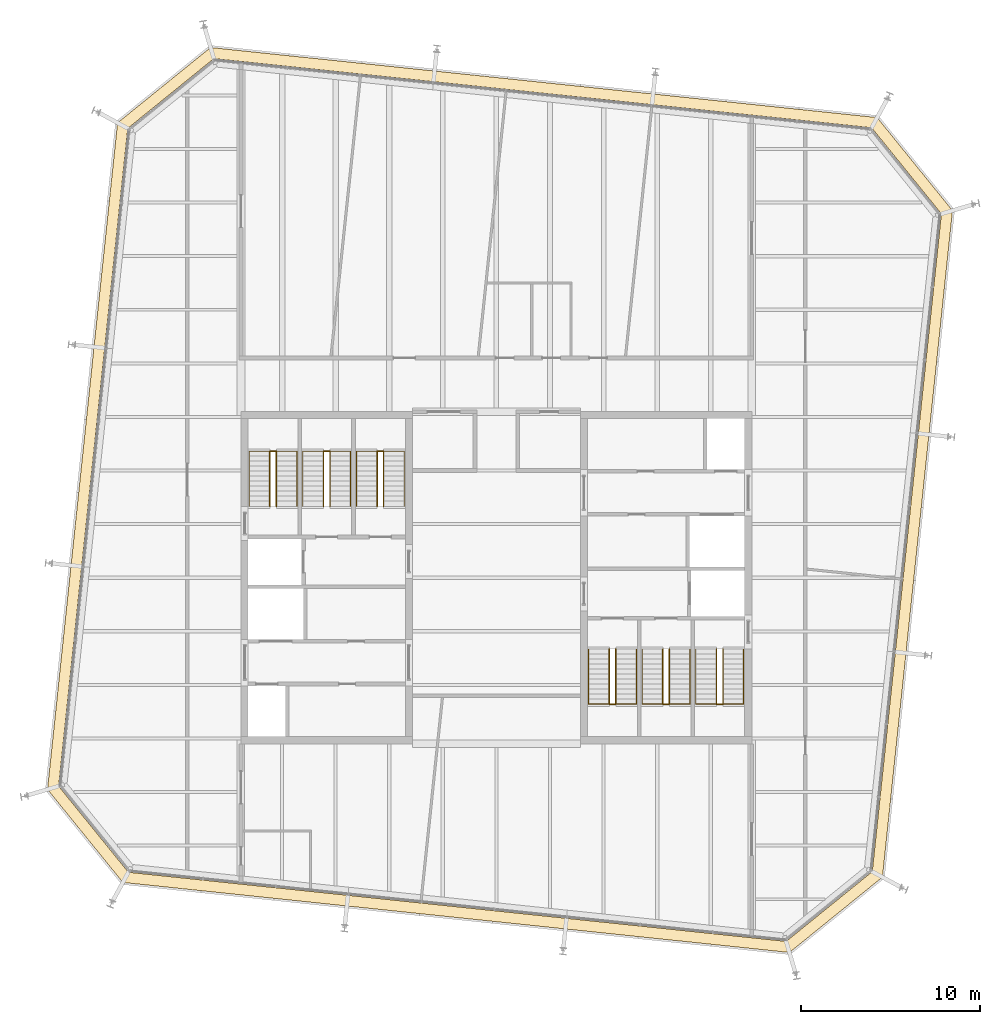
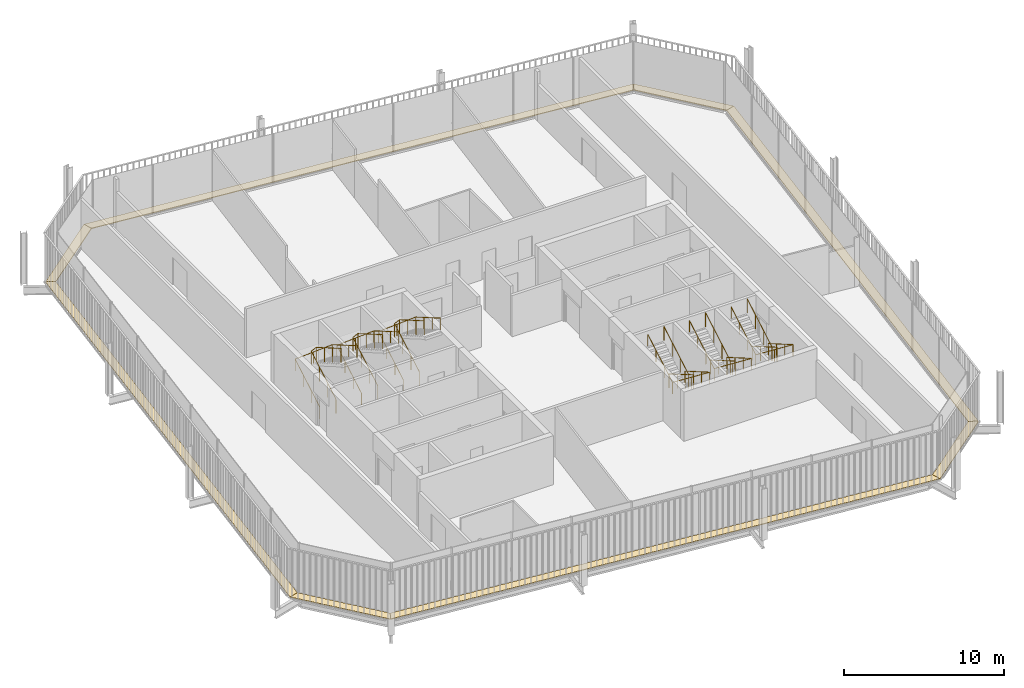
# One storey, part 20 of 20: 12 railings, 8 coverings.
"""IFC4 building model written with IfcOpenShell, lengths in metres."""

import ifcopenshell
import ifcopenshell.guid

model = None  # the IFC model being written
_history = None  # IfcOwnerHistory: only IFC2X3 demands one
_inside = {}  # id of a spatial element -> (the spatial element, [elements in it])
_under = {}  # id of a project, library or spatial element -> (it, [spatial elements below it])
_declared = {}  # id of a project -> (the project, [libraries it declares])
_typed = {}  # id of a type object -> (the type object, [elements of that type])
_made_of = {}  # id of a material, layer set ... -> (it, [elements and type objects made of it])


def new_model(schema):
    """Start an empty IFC model of exactly this schema.

    Asked for "IFC4X3", IfcOpenShell would pick the latest addendum, in which some entities
    have other attributes; the version numbers below select the first issue.
    IFC2X3 requires an IfcOwnerHistory on every rooted entity: one is made here for all.
    """
    global model, _history
    if schema == "IFC4X3":
        model = ifcopenshell.file(schema_version=(4, 3, 0, 0))
    else:
        model = ifcopenshell.file(schema=schema)
    _inside.clear()
    _under.clear()
    _declared.clear()
    _typed.clear()
    _made_of.clear()
    _history = None
    if model.schema == "IFC2X3":
        org = make("IfcOrganization", Name="unknown")
        user = make(
            "IfcPersonAndOrganization",
            ThePerson=make("IfcPerson", FamilyName="unknown"),
            TheOrganization=org,
        )
        app = make(
            "IfcApplication",
            ApplicationDeveloper=org,
            Version="unknown",
            ApplicationFullName="unknown",
            ApplicationIdentifier="unknown",
        )
        _history = make(
            "IfcOwnerHistory",
            OwningUser=user,
            OwningApplication=app,
            ChangeAction="ADDED",
            CreationDate=0,
        )
    return model


def make(cls, **values):
    """One entity of the class cls with the attributes given. An attribute that is None is left unset."""
    return model.create_entity(
        cls, **{name: value for name, value in values.items() if value is not None}
    )


def rooted(cls, **values):
    """An entity with a GlobalId (a new one), such as an element, a storey or a relation."""
    return make(cls, GlobalId=ifcopenshell.guid.new(), OwnerHistory=_history, **values)


def si_unit(unit_type, name, prefix=None):
    """IfcSIUnit, for example si_unit("LENGTHUNIT", "METRE", prefix="MILLI")."""
    return make("IfcSIUnit", UnitType=unit_type, Prefix=prefix, Name=name)


def assignment(units):
    """IfcUnitAssignment: the units of a project."""
    return None if units is None else make("IfcUnitAssignment", Units=units)


def point(xyz):
    """IfcCartesianPoint."""
    return None if xyz is None else make("IfcCartesianPoint", Coordinates=xyz)


def direction(xyz):
    """IfcDirection."""
    return None if xyz is None else make("IfcDirection", DirectionRatios=xyz)


def frame(location, z_axis=None, x_axis=None):
    """IfcAxis2Placement3D, a coordinate frame: its origin and axes. An axis left out is left unset."""
    return make(
        "IfcAxis2Placement3D",
        Location=point(location),
        Axis=direction(z_axis),
        RefDirection=direction(x_axis),
    )


def frame_2d(location, x_axis=None):
    """IfcAxis2Placement2D, a coordinate frame in the plane: its origin and x axis."""
    return make(
        "IfcAxis2Placement2D", Location=point(location), RefDirection=direction(x_axis)
    )


def origin():
    """The frame at (0, 0, 0) with its axes left unset."""
    return frame((0.0, 0.0, 0.0))


def origin_2d():
    """The frame at (0, 0) in the plane with its x axis left unset."""
    return frame_2d((0.0, 0.0))


def place(relative_to, where):
    """IfcLocalPlacement: puts the frame where relative to a parent placement (None: the world)."""
    return make(
        "IfcLocalPlacement", PlacementRelTo=relative_to, RelativePlacement=where
    )


def context(
    kind, dimensions, precision=None, world=None, true_north=None, identifier=None
):
    """IfcGeometricRepresentationContext, for example the 3D "Model" context."""
    return make(
        "IfcGeometricRepresentationContext",
        ContextIdentifier=identifier,
        ContextType=kind,
        CoordinateSpaceDimension=dimensions,
        Precision=precision,
        WorldCoordinateSystem=world,
        TrueNorth=true_north,
    )


def subcontext(parent, identifier, kind, view, scale=None):
    """IfcGeometricRepresentationSubContext, for example "Body" below "Model"."""
    return make(
        "IfcGeometricRepresentationSubContext",
        ContextIdentifier=identifier,
        ContextType=kind,
        ParentContext=parent,
        TargetScale=scale,
        TargetView=view,
    )


def project(units=None, contexts=None):
    """IfcProject with its units and contexts."""
    return rooted(
        "IfcProject",
        Name="project",
        RepresentationContexts=contexts,
        UnitsInContext=assignment(units),
    )


def spatial(cls, under=None, at=None, **own):
    """A site, building, storey or space (cls), placed at a placement, below another one or the project."""
    s = rooted(cls, ObjectPlacement=at, **own)
    if under is not None:
        _under.setdefault(under.id(), (under, []))[1].append(s)
    return s


def polyline(points):
    """IfcPolyline through the points."""
    return make("IfcPolyline", Points=[point(p) for p in points])


def profile(cls, at=None, kind="AREA", **sizes):
    """A parametric profile (cls). Its sizes go by their IFC names, for example OverallWidth=200.0."""
    return make(cls, ProfileType=kind, Position=at, **sizes)


def circle(**sizes):
    """IfcCircleProfileDef."""
    return profile("IfcCircleProfileDef", **sizes)


def outline(outer, holes=None, kind="AREA"):
    """IfcArbitraryClosedProfileDef: a profile drawn as a closed curve; with holes, ...WithVoids."""
    if holes is None:
        return make("IfcArbitraryClosedProfileDef", ProfileType=kind, OuterCurve=outer)
    return make(
        "IfcArbitraryProfileDefWithVoids",
        ProfileType=kind,
        OuterCurve=outer,
        InnerCurves=holes,
    )


def extrude(swept, where, along, depth):
    """IfcExtrudedAreaSolid: the profile swept, set in the frame where, extruded along a direction by depth."""
    return make(
        "IfcExtrudedAreaSolid",
        SweptArea=swept,
        Position=where,
        ExtrudedDirection=direction(along),
        Depth=depth,
    )


def shape(context_of_items, identifier, shape_type, items):
    """IfcShapeRepresentation: the items that make up one representation, for example the "Body"."""
    return make(
        "IfcShapeRepresentation",
        ContextOfItems=context_of_items,
        RepresentationIdentifier=identifier,
        RepresentationType=shape_type,
        Items=items,
    )


def material(Name=None, Category=None):
    """IfcMaterial."""
    return make("IfcMaterial", Name=Name, Category=Category)


def layer(
    of_material, thickness, ventilated=None, Name=None, Category=None, Priority=None
):
    """IfcMaterialLayer: one layer of a wall or slab, of a material (None: an air gap)."""
    return make(
        "IfcMaterialLayer",
        Material=of_material,
        LayerThickness=thickness,
        IsVentilated=ventilated,
        Name=Name,
        Category=Category,
        Priority=Priority,
    )


def layer_set(layers, Name=None):
    """IfcMaterialLayerSet."""
    return make("IfcMaterialLayerSet", MaterialLayers=layers, LayerSetName=Name)


def made_of(thing, what):
    """Note that an element or type object is made of a material, layer set ...; save() writes the relation."""
    if what is not None:
        _made_of.setdefault(what.id(), (what, []))[1].append(thing)
    return thing


def type_object(cls, material=None, **own):
    """A type object (cls), such as IfcWallType, which elements share."""
    return made_of(rooted(cls, **own), material)


def element(
    cls,
    number,
    at=None,
    inside=None,
    cuts=None,
    type_object=None,
    material=None,
    context=None,
    identifier="Body",
    shape_type=None,
    held_by="IfcProductDefinitionShape",
    body=None,
    shapes=None,
    **own,
):
    """One element of the class cls, such as IfcWall. Its Tag is "e" and its number.

    at: its placement. inside: the storey or other place that contains it. cuts: it is an
    opening in that element (IfcRelVoidsElement). A single representation is given by context,
    identifier, shape_type and body (its items); several are given by shapes. held_by: the class
    of the entity that holds the representations. save() writes the other relations.
    """
    e = rooted(cls, Tag="e%d" % number, ObjectPlacement=at, **own)
    if body is not None:
        shapes = [shape(context, identifier, shape_type, body)]
    if shapes is not None:
        e.Representation = make(held_by, Representations=shapes)
    if inside is not None:
        _inside.setdefault(inside.id(), (inside, []))[1].append(e)
    if cuts is not None:
        rooted(
            "IfcRelVoidsElement", RelatingBuildingElement=cuts, RelatedOpeningElement=e
        )
    if type_object is not None:
        _typed.setdefault(type_object.id(), (type_object, []))[1].append(e)
    return made_of(e, material)


def aggregate(whole, parts):
    """IfcRelAggregates: a whole, such as a stair, and the parts it consists of."""
    return rooted("IfcRelAggregates", RelatingObject=whole, RelatedObjects=parts)


def save(model, path):
    """Write the relations noted so far, then the file.

    IfcRelAggregates (storeys below a building ...), IfcRelContainedInSpatialStructure (elements
    in a storey), IfcRelDefinesByType, IfcRelAssociatesMaterial and IfcRelDeclares: one each for
    every whole, place, type object, material and project.
    """
    for whole, parts in _under.values():
        aggregate(whole, parts)
    for where, things in _inside.values():
        rooted(
            "IfcRelContainedInSpatialStructure",
            RelatedElements=things,
            RelatingStructure=where,
        )
    for kind, things in _typed.values():
        rooted("IfcRelDefinesByType", RelatedObjects=things, RelatingType=kind)
    for what, things in _made_of.values():
        rooted("IfcRelAssociatesMaterial", RelatedObjects=things, RelatingMaterial=what)
    for by, libraries in _declared.values():
        rooted("IfcRelDeclares", RelatingContext=by, RelatedDefinitions=libraries)
    model.write(path)


model = new_model("IFC4")

# Units and contexts
model_context = context("Model", 3, precision=1e-05, world=origin(), true_north=direction((0.0, 1.0)))
body_context = subcontext(model_context, "Body", "Model", "MODEL_VIEW")
ifc_project = project(units=[si_unit("LENGTHUNIT", "METRE"), si_unit("AREAUNIT", "SQUARE_METRE"), si_unit("VOLUMEUNIT", "CUBIC_METRE"), si_unit("PLANEANGLEUNIT", "RADIAN"), si_unit("MASSUNIT", "GRAM", prefix="KILO")], contexts=[model_context])

# Site, building, storey
site_placement = place(None, origin())
site = spatial("IfcSite", under=ifc_project, at=site_placement, CompositionType="ELEMENT")
building_placement = place(site_placement, origin())
building = spatial("IfcBuilding", under=site, at=building_placement, Name="Millrace Tower", CompositionType="ELEMENT")
storey_placement = place(building_placement, frame((0.0, 0.0, 279.89990234375)))
storey = spatial("IfcBuildingStorey", under=building, at=storey_placement, Name="L64", CompositionType="ELEMENT", Elevation=279.89990234375)

# Coverings
ifc_material_1 = material(Name="Steel ASTM A36", Category="steel")
ifc_layer = layer(ifc_material_1, 0.050048828125)
ifc_layer_set = layer_set([ifc_layer], Name="Steel ASTM A36")
covering_type = type_object("IfcCoveringType", Name="CAVITY CATWALK steel grating", PredefinedType="FLOORING", material=ifc_layer_set)
placement = place(storey_placement, frame((0.0, 0.0, 0.10009765625)))
element("IfcCovering", 1, at=placement, inside=storey, type_object=covering_type, Name="Cavity catwalk grating E-F01 L64 1", PredefinedType="FLOORING", context=body_context, shape_type="SweptSolid", body=[
    extrude(outline(polyline([(-25.13232421875, -11.8515625), (-20.914306640625, -17.060302734375), (-20.6044921875, -16.489501953125), (-24.509521484375, -11.6669921875), (-25.13232421875, -11.8515625)])), origin(), (0.0, 0.0, 1.0), 0.050048828125),
])
element("IfcCovering", 2, at=placement, inside=storey, type_object=covering_type, Name="Cavity catwalk grating E-F02 L64 1", PredefinedType="FLOORING", context=body_context, shape_type="SweptSolid", body=[
    extrude(outline(polyline([(-20.914306640625, -17.060302734375), (16.4013671875, -20.982177734375), (16.217041015625, -20.359619140625), (-20.6044921875, -16.489501953125), (-20.914306640625, -17.060302734375)])), origin(), (0.0, 0.0, 1.0), 0.050048828125),
])
element("IfcCovering", 3, at=placement, inside=storey, type_object=covering_type, Name="Cavity catwalk grating E-F03 L64 1", PredefinedType="FLOORING", context=body_context, shape_type="SweptSolid", body=[
    extrude(outline(polyline([(16.4013671875, -20.982177734375), (21.6103515625, -16.764404296875), (21.03955078125, -16.454345703125), (16.217041015625, -20.359619140625), (16.4013671875, -20.982177734375)])), origin(), (0.0, 0.0, 1.0), 0.050048828125),
])
element("IfcCovering", 4, at=placement, inside=storey, type_object=covering_type, Name="Cavity catwalk grating E-F04 L64 1", PredefinedType="FLOORING", context=body_context, shape_type="SweptSolid", body=[
    extrude(outline(polyline([(21.6103515625, -16.764404296875), (25.5322265625, 20.551513671875), (24.90966796875, 20.366943359375), (21.03955078125, -16.454345703125), (21.6103515625, -16.764404296875)])), origin(), (0.0, 0.0, 1.0), 0.050048828125),
])
element("IfcCovering", 5, at=placement, inside=storey, type_object=covering_type, Name="Cavity catwalk grating E-F05 L64 1", PredefinedType="FLOORING", context=body_context, shape_type="SweptSolid", body=[
    extrude(outline(polyline([(25.5322265625, 20.551513671875), (21.314208984375, 25.76025390625), (21.00439453125, 25.189453125), (24.90966796875, 20.366943359375), (25.5322265625, 20.551513671875)])), origin(), (0.0, 0.0, 1.0), 0.050048828125),
])
element("IfcCovering", 6, at=placement, inside=storey, type_object=covering_type, Name="Cavity catwalk grating E-F06 L64 1", PredefinedType="FLOORING", context=body_context, shape_type="SweptSolid", body=[
    extrude(outline(polyline([(21.314208984375, 25.76025390625), (-16.00146484375, 29.682373046875), (-15.817138671875, 29.0595703125), (21.00439453125, 25.189453125), (21.314208984375, 25.76025390625)])), origin(), (0.0, 0.0, 1.0), 0.050048828125),
])
element("IfcCovering", 7, at=placement, inside=storey, type_object=covering_type, Name="Cavity catwalk grating E-F07 L64 1", PredefinedType="FLOORING", context=body_context, shape_type="SweptSolid", body=[
    extrude(outline(polyline([(-16.00146484375, 29.682373046875), (-21.210205078125, 25.46435546875), (-20.639404296875, 25.154541015625), (-15.817138671875, 29.0595703125), (-16.00146484375, 29.682373046875)])), origin(), (0.0, 0.0, 1.0), 0.050048828125),
])
element("IfcCovering", 8, at=placement, inside=storey, type_object=covering_type, Name="Cavity catwalk grating E-F08 L64 1", PredefinedType="FLOORING", context=body_context, shape_type="SweptSolid", body=[
    extrude(outline(polyline([(-21.210205078125, 25.46435546875), (-25.13232421875, -11.8515625), (-24.509521484375, -11.6669921875), (-20.639404296875, 25.154541015625), (-21.210205078125, 25.46435546875)])), origin(), (0.0, 0.0, 1.0), 0.050048828125),
])

# Railings
ifc_material_2 = material(Name="Stainless steel ASTM A240 type 316", Category="steel")
railing_type_1 = type_object("IfcRailingType", Name="Stair guard 1100", PredefinedType="GUARDRAIL", material=ifc_material_2)
for number, where, name in (
    (9, (-12.679931640625, 4.0, 0.16259765625), "Stair guard 1 W L64"),
    (10, (-9.679931640625, 4.0, 0.16259765625), "Stair guard 2 W L64"),
    (11, (-6.679931640625, 4.0, 0.16259765625), "Stair guard 3 W L64"),
):
    element("IfcRailing", number, at=place(storey_placement, frame(where)), inside=storey, type_object=railing_type_1, Name=name, PredefinedType="GUARDRAIL", context=body_context, shape_type="SweptSolid", body=[
        extrude(circle(Radius=0.02392578125, at=origin_2d()), frame((0.0, 0.0, 1.076171875), z_axis=(0.0, 0.864890721111, 0.501960198159), x_axis=(-1.0, 0.0, 0.0)), (0.0, 0.0, 1.0), 3.561279296875),
        extrude(circle(Radius=0.02392578125, at=origin_2d()), frame((0.0, 3.080078125, 2.86376953125), z_axis=(0.91152767309, 0.0, 0.411238739895), x_axis=(0.0, 1.0, 0.0)), (0.0, 0.0, 1.0), 0.394775390625),
        extrude(circle(Radius=0.02392578125, at=origin_2d()), frame((0.35986328125, 3.080078125, 3.02587890625), z_axis=(0.0, -0.864890721111, 0.501960198159), x_axis=(1.0, 0.0, 0.0)), (0.0, 0.0, 1.0), 3.561279296875),
        extrude(circle(Radius=0.02099609375, at=origin_2d()), origin(), (0.0, 0.0, 1.0), 1.052001953125),
        extrude(circle(Radius=0.02099609375, at=origin_2d()), frame((0.0, 1.026611328125, 0.595947265625)), (0.0, 0.0, 1.0), 1.052001953125),
        extrude(circle(Radius=0.02099609375, at=origin_2d()), frame((0.0, 2.053466796875, 1.191650390625)), (0.0, 0.0, 1.0), 1.052001953125),
        extrude(circle(Radius=0.02099609375, at=origin_2d()), frame((0.0, 3.080078125, 1.78759765625)), (0.0, 0.0, 1.0), 1.052001953125),
        extrude(circle(Radius=0.02099609375, at=origin_2d()), frame((0.35986328125, 3.080078125, 1.949951171875)), (0.0, 0.0, 1.0), 1.052001953125),
        extrude(circle(Radius=0.02099609375, at=origin_2d()), frame((0.35986328125, 2.053466796875, 2.5458984375)), (0.0, 0.0, 1.0), 1.052001953125),
        extrude(circle(Radius=0.02099609375, at=origin_2d()), frame((0.35986328125, 1.026611328125, 3.1416015625)), (0.0, 0.0, 1.0), 1.052001953125),
        extrude(circle(Radius=0.02099609375, at=origin_2d()), frame((0.35986328125, 0.0, 3.737548828125)), (0.0, 0.0, 1.0), 1.052001953125),
    ])
for number, where, name in (
    (12, (12.679931640625, -4.0, 0.16259765625), "Stair guard 1 E L64"),
    (13, (9.679931640625, -4.0, 0.16259765625), "Stair guard 2 E L64"),
    (14, (6.679931640625, -4.0, 0.16259765625), "Stair guard 3 E L64"),
):
    element("IfcRailing", number, at=place(storey_placement, frame(where)), inside=storey, type_object=railing_type_1, Name=name, PredefinedType="GUARDRAIL", context=body_context, shape_type="SweptSolid", body=[
        extrude(circle(Radius=0.02392578125, at=origin_2d()), frame((0.0, 0.0, 1.076171875), z_axis=(0.0, -0.864890721111, 0.501960198159), x_axis=(1.0, 0.0, 0.0)), (0.0, 0.0, 1.0), 3.561279296875),
        extrude(circle(Radius=0.02392578125, at=origin_2d()), frame((0.0, -3.080078125, 2.86376953125), z_axis=(-0.91152767309, 0.0, 0.411238739895), x_axis=(0.0, -1.0, 0.0)), (0.0, 0.0, 1.0), 0.394775390625),
        extrude(circle(Radius=0.02392578125, at=origin_2d()), frame((-0.35986328125, -3.080078125, 3.02587890625), z_axis=(0.0, 0.864890721111, 0.501960198159), x_axis=(-1.0, 0.0, 0.0)), (0.0, 0.0, 1.0), 3.561279296875),
        extrude(circle(Radius=0.02099609375, at=origin_2d()), origin(), (0.0, 0.0, 1.0), 1.052001953125),
        extrude(circle(Radius=0.02099609375, at=origin_2d()), frame((0.0, -1.026611328125, 0.595947265625)), (0.0, 0.0, 1.0), 1.052001953125),
        extrude(circle(Radius=0.02099609375, at=origin_2d()), frame((0.0, -2.053466796875, 1.191650390625)), (0.0, 0.0, 1.0), 1.052001953125),
        extrude(circle(Radius=0.02099609375, at=origin_2d()), frame((0.0, -3.080078125, 1.78759765625)), (0.0, 0.0, 1.0), 1.052001953125),
        extrude(circle(Radius=0.02099609375, at=origin_2d()), frame((-0.35986328125, -3.080078125, 1.949951171875)), (0.0, 0.0, 1.0), 1.052001953125),
        extrude(circle(Radius=0.02099609375, at=origin_2d()), frame((-0.35986328125, -2.053466796875, 2.5458984375)), (0.0, 0.0, 1.0), 1.052001953125),
        extrude(circle(Radius=0.02099609375, at=origin_2d()), frame((-0.35986328125, -1.026611328125, 3.1416015625)), (0.0, 0.0, 1.0), 1.052001953125),
        extrude(circle(Radius=0.02099609375, at=origin_2d()), frame((-0.35986328125, 0.0, 3.737548828125)), (0.0, 0.0, 1.0), 1.052001953125),
    ])
ifc_material_3 = material(Name="Stainless steel ASTM A240 type 316", Category="steel")
railing_type_2 = type_object("IfcRailingType", Name="Stair handrail 900", PredefinedType="HANDRAIL", material=ifc_material_3)
railing_1_placement = place(storey_placement, frame((-13.840087890625, 4.0, 0.16259765625)))
element("IfcRailing", 15, at=railing_1_placement, inside=storey, type_object=railing_type_2, Name="Stair handrail 1 W L64", PredefinedType="HANDRAIL", context=body_context, shape_type="SweptSolid", body=[
    extrude(circle(Radius=0.02392578125, at=origin_2d()), frame((0.0, 0.0, 0.8759765625), z_axis=(0.0, 0.864890721111, 0.501960198159), x_axis=(-1.0, 0.0, 0.0)), (0.0, 0.0, 1.0), 3.561279296875),
    extrude(circle(Radius=0.02392578125, at=origin_2d()), frame((0.0, 3.080078125, 2.66357421875), z_axis=(0.998170326313, 0.0, 0.06046486309), x_axis=(0.0, 1.0, 0.0)), (0.0, 0.0, 1.0), 2.68505859375),
    extrude(circle(Radius=0.02392578125, at=origin_2d()), frame((2.68017578125, 3.080078125, 2.82568359375), z_axis=(0.0, -0.864890721111, 0.501960198159), x_axis=(1.0, 0.0, 0.0)), (0.0, 0.0, 1.0), 3.561279296875),
    extrude(circle(Radius=0.02099609375, at=origin_2d()), origin(), (0.0, 0.0, 1.0), 0.851806640625),
    extrude(circle(Radius=0.02099609375, at=origin_2d()), frame((0.0, 1.026611328125, 0.595947265625)), (0.0, 0.0, 1.0), 0.851806640625),
    extrude(circle(Radius=0.02099609375, at=origin_2d()), frame((0.0, 2.053466796875, 1.191650390625)), (0.0, 0.0, 1.0), 0.851806640625),
    extrude(circle(Radius=0.02099609375, at=origin_2d()), frame((0.0, 3.080078125, 1.78759765625)), (0.0, 0.0, 1.0), 0.851806640625),
    extrude(circle(Radius=0.02099609375, at=origin_2d()), frame((1.340087890625, 3.080078125, 1.86865234375)), (0.0, 0.0, 1.0), 0.851806640625),
    extrude(circle(Radius=0.02099609375, at=origin_2d()), frame((2.68017578125, 3.080078125, 1.949951171875)), (0.0, 0.0, 1.0), 0.851806640625),
    extrude(circle(Radius=0.02099609375, at=origin_2d()), frame((2.68017578125, 2.053466796875, 2.5458984375)), (0.0, 0.0, 1.0), 0.851806640625),
    extrude(circle(Radius=0.02099609375, at=origin_2d()), frame((2.68017578125, 1.026611328125, 3.1416015625)), (0.0, 0.0, 1.0), 0.851806640625),
    extrude(circle(Radius=0.02099609375, at=origin_2d()), frame((2.68017578125, 0.0, 3.737548828125)), (0.0, 0.0, 1.0), 0.851806640625),
])
railing_2_placement = place(storey_placement, frame((-10.840087890625, 4.0, 0.16259765625)))
element("IfcRailing", 16, at=railing_2_placement, inside=storey, type_object=railing_type_2, Name="Stair handrail 2 W L64", PredefinedType="HANDRAIL", context=body_context, shape_type="SweptSolid", body=[
    extrude(circle(Radius=0.02392578125, at=origin_2d()), frame((0.0, 0.0, 0.8759765625), z_axis=(0.0, 0.864890721111, 0.501960198159), x_axis=(-1.0, 0.0, 0.0)), (0.0, 0.0, 1.0), 3.561279296875),
    extrude(circle(Radius=0.02392578125, at=origin_2d()), frame((0.0, 3.080078125, 2.66357421875), z_axis=(0.998170326313, 0.0, 0.06046486309), x_axis=(0.0, 1.0, 0.0)), (0.0, 0.0, 1.0), 2.68505859375),
    extrude(circle(Radius=0.02392578125, at=origin_2d()), frame((2.68017578125, 3.080078125, 2.82568359375), z_axis=(0.0, -0.864890721111, 0.501960198159), x_axis=(1.0, 0.0, 0.0)), (0.0, 0.0, 1.0), 3.561279296875),
    extrude(circle(Radius=0.02099609375, at=origin_2d()), origin(), (0.0, 0.0, 1.0), 0.851806640625),
    extrude(circle(Radius=0.02099609375, at=origin_2d()), frame((0.0, 1.026611328125, 0.595947265625)), (0.0, 0.0, 1.0), 0.851806640625),
    extrude(circle(Radius=0.02099609375, at=origin_2d()), frame((0.0, 2.053466796875, 1.191650390625)), (0.0, 0.0, 1.0), 0.851806640625),
    extrude(circle(Radius=0.02099609375, at=origin_2d()), frame((0.0, 3.080078125, 1.78759765625)), (0.0, 0.0, 1.0), 0.851806640625),
    extrude(circle(Radius=0.02099609375, at=origin_2d()), frame((1.340087890625, 3.080078125, 1.86865234375)), (0.0, 0.0, 1.0), 0.851806640625),
    extrude(circle(Radius=0.02099609375, at=origin_2d()), frame((2.68017578125, 3.080078125, 1.949951171875)), (0.0, 0.0, 1.0), 0.851806640625),
    extrude(circle(Radius=0.02099609375, at=origin_2d()), frame((2.68017578125, 2.053466796875, 2.5458984375)), (0.0, 0.0, 1.0), 0.851806640625),
    extrude(circle(Radius=0.02099609375, at=origin_2d()), frame((2.68017578125, 1.026611328125, 3.1416015625)), (0.0, 0.0, 1.0), 0.851806640625),
    extrude(circle(Radius=0.02099609375, at=origin_2d()), frame((2.68017578125, 0.0, 3.737548828125)), (0.0, 0.0, 1.0), 0.851806640625),
])
railing_3_placement = place(storey_placement, frame((-7.840087890625, 4.0, 0.16259765625)))
element("IfcRailing", 17, at=railing_3_placement, inside=storey, type_object=railing_type_2, Name="Stair handrail 3 W L64", PredefinedType="HANDRAIL", context=body_context, shape_type="SweptSolid", body=[
    extrude(circle(Radius=0.02392578125, at=origin_2d()), frame((0.0, 0.0, 0.8759765625), z_axis=(0.0, 0.864890721111, 0.501960198159), x_axis=(-1.0, 0.0, 0.0)), (0.0, 0.0, 1.0), 3.561279296875),
    extrude(circle(Radius=0.02392578125, at=origin_2d()), frame((0.0, 3.080078125, 2.66357421875), z_axis=(0.998170326313, 0.0, 0.06046486309), x_axis=(0.0, 1.0, 0.0)), (0.0, 0.0, 1.0), 2.68505859375),
    extrude(circle(Radius=0.02392578125, at=origin_2d()), frame((2.68017578125, 3.080078125, 2.82568359375), z_axis=(0.0, -0.864890721111, 0.501960198159), x_axis=(1.0, 0.0, 0.0)), (0.0, 0.0, 1.0), 3.561279296875),
    extrude(circle(Radius=0.02099609375, at=origin_2d()), origin(), (0.0, 0.0, 1.0), 0.851806640625),
    extrude(circle(Radius=0.02099609375, at=origin_2d()), frame((0.0, 1.026611328125, 0.595947265625)), (0.0, 0.0, 1.0), 0.851806640625),
    extrude(circle(Radius=0.02099609375, at=origin_2d()), frame((0.0, 2.053466796875, 1.191650390625)), (0.0, 0.0, 1.0), 0.851806640625),
    extrude(circle(Radius=0.02099609375, at=origin_2d()), frame((0.0, 3.080078125, 1.78759765625)), (0.0, 0.0, 1.0), 0.851806640625),
    extrude(circle(Radius=0.02099609375, at=origin_2d()), frame((1.340087890625, 3.080078125, 1.86865234375)), (0.0, 0.0, 1.0), 0.851806640625),
    extrude(circle(Radius=0.02099609375, at=origin_2d()), frame((2.68017578125, 3.080078125, 1.949951171875)), (0.0, 0.0, 1.0), 0.851806640625),
    extrude(circle(Radius=0.02099609375, at=origin_2d()), frame((2.68017578125, 2.053466796875, 2.5458984375)), (0.0, 0.0, 1.0), 0.851806640625),
    extrude(circle(Radius=0.02099609375, at=origin_2d()), frame((2.68017578125, 1.026611328125, 3.1416015625)), (0.0, 0.0, 1.0), 0.851806640625),
    extrude(circle(Radius=0.02099609375, at=origin_2d()), frame((2.68017578125, 0.0, 3.737548828125)), (0.0, 0.0, 1.0), 0.851806640625),
])
railing_4_placement = place(storey_placement, frame((13.840087890625, -4.0, 0.16259765625)))
element("IfcRailing", 18, at=railing_4_placement, inside=storey, type_object=railing_type_2, Name="Stair handrail 1 E L64", PredefinedType="HANDRAIL", context=body_context, shape_type="SweptSolid", body=[
    extrude(circle(Radius=0.02392578125, at=origin_2d()), frame((0.0, 0.0, 0.8759765625), z_axis=(0.0, -0.864890721111, 0.501960198159), x_axis=(1.0, 0.0, 0.0)), (0.0, 0.0, 1.0), 3.561279296875),
    extrude(circle(Radius=0.02392578125, at=origin_2d()), frame((0.0, -3.080078125, 2.66357421875), z_axis=(-0.998170326313, 0.0, 0.06046486309), x_axis=(0.0, -1.0, 0.0)), (0.0, 0.0, 1.0), 2.68505859375),
    extrude(circle(Radius=0.02392578125, at=origin_2d()), frame((-2.68017578125, -3.080078125, 2.82568359375), z_axis=(0.0, 0.864890721111, 0.501960198159), x_axis=(-1.0, 0.0, 0.0)), (0.0, 0.0, 1.0), 3.561279296875),
    extrude(circle(Radius=0.02099609375, at=origin_2d()), origin(), (0.0, 0.0, 1.0), 0.851806640625),
    extrude(circle(Radius=0.02099609375, at=origin_2d()), frame((0.0, -1.026611328125, 0.595947265625)), (0.0, 0.0, 1.0), 0.851806640625),
    extrude(circle(Radius=0.02099609375, at=origin_2d()), frame((0.0, -2.053466796875, 1.191650390625)), (0.0, 0.0, 1.0), 0.851806640625),
    extrude(circle(Radius=0.02099609375, at=origin_2d()), frame((0.0, -3.080078125, 1.78759765625)), (0.0, 0.0, 1.0), 0.851806640625),
    extrude(circle(Radius=0.02099609375, at=origin_2d()), frame((-1.340087890625, -3.080078125, 1.86865234375)), (0.0, 0.0, 1.0), 0.851806640625),
    extrude(circle(Radius=0.02099609375, at=origin_2d()), frame((-2.68017578125, -3.080078125, 1.949951171875)), (0.0, 0.0, 1.0), 0.851806640625),
    extrude(circle(Radius=0.02099609375, at=origin_2d()), frame((-2.68017578125, -2.053466796875, 2.5458984375)), (0.0, 0.0, 1.0), 0.851806640625),
    extrude(circle(Radius=0.02099609375, at=origin_2d()), frame((-2.68017578125, -1.026611328125, 3.1416015625)), (0.0, 0.0, 1.0), 0.851806640625),
    extrude(circle(Radius=0.02099609375, at=origin_2d()), frame((-2.68017578125, 0.0, 3.737548828125)), (0.0, 0.0, 1.0), 0.851806640625),
])
railing_5_placement = place(storey_placement, frame((10.840087890625, -4.0, 0.16259765625)))
element("IfcRailing", 19, at=railing_5_placement, inside=storey, type_object=railing_type_2, Name="Stair handrail 2 E L64", PredefinedType="HANDRAIL", context=body_context, shape_type="SweptSolid", body=[
    extrude(circle(Radius=0.02392578125, at=origin_2d()), frame((0.0, 0.0, 0.8759765625), z_axis=(0.0, -0.864890721111, 0.501960198159), x_axis=(1.0, 0.0, 0.0)), (0.0, 0.0, 1.0), 3.561279296875),
    extrude(circle(Radius=0.02392578125, at=origin_2d()), frame((0.0, -3.080078125, 2.66357421875), z_axis=(-0.998170326313, 0.0, 0.06046486309), x_axis=(0.0, -1.0, 0.0)), (0.0, 0.0, 1.0), 2.68505859375),
    extrude(circle(Radius=0.02392578125, at=origin_2d()), frame((-2.68017578125, -3.080078125, 2.82568359375), z_axis=(0.0, 0.864890721111, 0.501960198159), x_axis=(-1.0, 0.0, 0.0)), (0.0, 0.0, 1.0), 3.561279296875),
    extrude(circle(Radius=0.02099609375, at=origin_2d()), origin(), (0.0, 0.0, 1.0), 0.851806640625),
    extrude(circle(Radius=0.02099609375, at=origin_2d()), frame((0.0, -1.026611328125, 0.595947265625)), (0.0, 0.0, 1.0), 0.851806640625),
    extrude(circle(Radius=0.02099609375, at=origin_2d()), frame((0.0, -2.053466796875, 1.191650390625)), (0.0, 0.0, 1.0), 0.851806640625),
    extrude(circle(Radius=0.02099609375, at=origin_2d()), frame((0.0, -3.080078125, 1.78759765625)), (0.0, 0.0, 1.0), 0.851806640625),
    extrude(circle(Radius=0.02099609375, at=origin_2d()), frame((-1.340087890625, -3.080078125, 1.86865234375)), (0.0, 0.0, 1.0), 0.851806640625),
    extrude(circle(Radius=0.02099609375, at=origin_2d()), frame((-2.68017578125, -3.080078125, 1.949951171875)), (0.0, 0.0, 1.0), 0.851806640625),
    extrude(circle(Radius=0.02099609375, at=origin_2d()), frame((-2.68017578125, -2.053466796875, 2.5458984375)), (0.0, 0.0, 1.0), 0.851806640625),
    extrude(circle(Radius=0.02099609375, at=origin_2d()), frame((-2.68017578125, -1.026611328125, 3.1416015625)), (0.0, 0.0, 1.0), 0.851806640625),
    extrude(circle(Radius=0.02099609375, at=origin_2d()), frame((-2.68017578125, 0.0, 3.737548828125)), (0.0, 0.0, 1.0), 0.851806640625),
])
railing_6_placement = place(storey_placement, frame((7.840087890625, -4.0, 0.16259765625)))
element("IfcRailing", 20, at=railing_6_placement, inside=storey, type_object=railing_type_2, Name="Stair handrail 3 E L64", PredefinedType="HANDRAIL", context=body_context, shape_type="SweptSolid", body=[
    extrude(circle(Radius=0.02392578125, at=origin_2d()), frame((0.0, 0.0, 0.8759765625), z_axis=(0.0, -0.864890721111, 0.501960198159), x_axis=(1.0, 0.0, 0.0)), (0.0, 0.0, 1.0), 3.561279296875),
    extrude(circle(Radius=0.02392578125, at=origin_2d()), frame((0.0, -3.080078125, 2.66357421875), z_axis=(-0.998170326313, 0.0, 0.06046486309), x_axis=(0.0, -1.0, 0.0)), (0.0, 0.0, 1.0), 2.68505859375),
    extrude(circle(Radius=0.02392578125, at=origin_2d()), frame((-2.68017578125, -3.080078125, 2.82568359375), z_axis=(0.0, 0.864890721111, 0.501960198159), x_axis=(-1.0, 0.0, 0.0)), (0.0, 0.0, 1.0), 3.561279296875),
    extrude(circle(Radius=0.02099609375, at=origin_2d()), origin(), (0.0, 0.0, 1.0), 0.851806640625),
    extrude(circle(Radius=0.02099609375, at=origin_2d()), frame((0.0, -1.026611328125, 0.595947265625)), (0.0, 0.0, 1.0), 0.851806640625),
    extrude(circle(Radius=0.02099609375, at=origin_2d()), frame((0.0, -2.053466796875, 1.191650390625)), (0.0, 0.0, 1.0), 0.851806640625),
    extrude(circle(Radius=0.02099609375, at=origin_2d()), frame((0.0, -3.080078125, 1.78759765625)), (0.0, 0.0, 1.0), 0.851806640625),
    extrude(circle(Radius=0.02099609375, at=origin_2d()), frame((-1.340087890625, -3.080078125, 1.86865234375)), (0.0, 0.0, 1.0), 0.851806640625),
    extrude(circle(Radius=0.02099609375, at=origin_2d()), frame((-2.68017578125, -3.080078125, 1.949951171875)), (0.0, 0.0, 1.0), 0.851806640625),
    extrude(circle(Radius=0.02099609375, at=origin_2d()), frame((-2.68017578125, -2.053466796875, 2.5458984375)), (0.0, 0.0, 1.0), 0.851806640625),
    extrude(circle(Radius=0.02099609375, at=origin_2d()), frame((-2.68017578125, -1.026611328125, 3.1416015625)), (0.0, 0.0, 1.0), 0.851806640625),
    extrude(circle(Radius=0.02099609375, at=origin_2d()), frame((-2.68017578125, 0.0, 3.737548828125)), (0.0, 0.0, 1.0), 0.851806640625),
])

save(model, "model.ifc")
